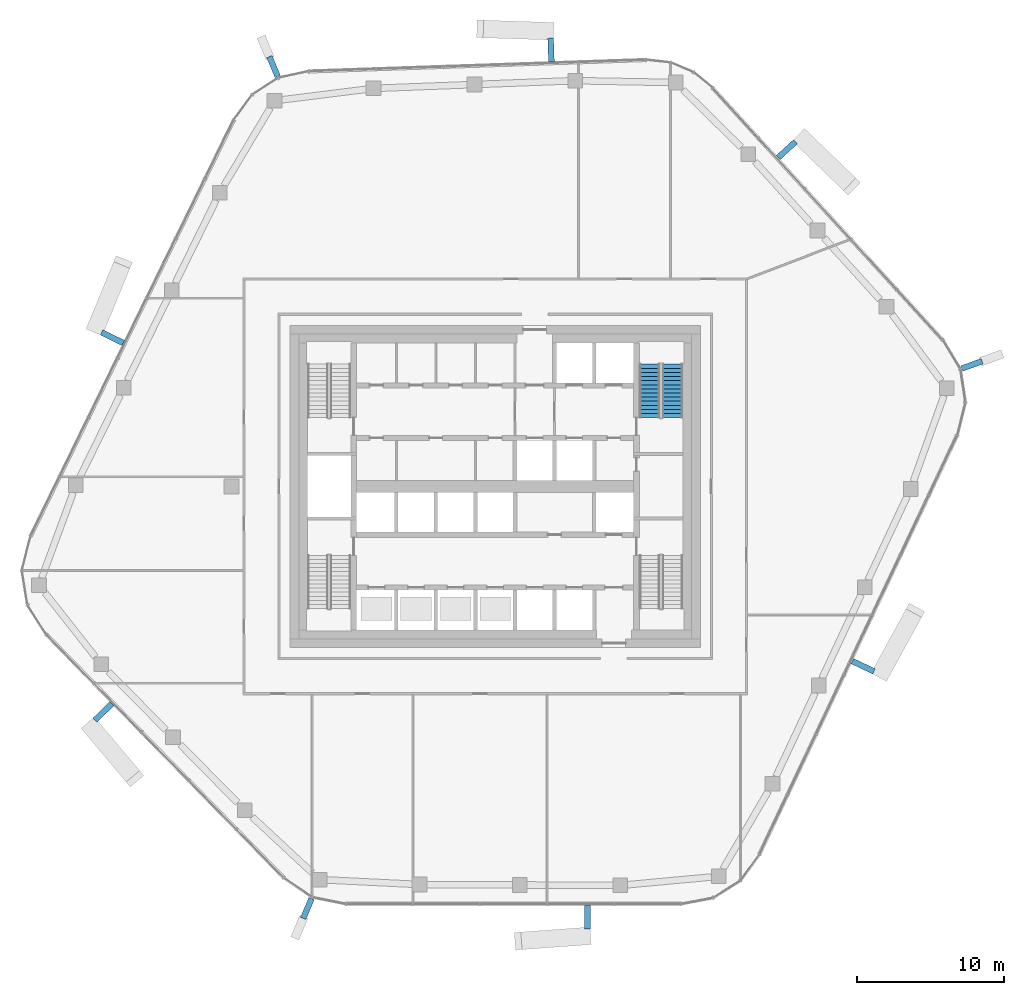
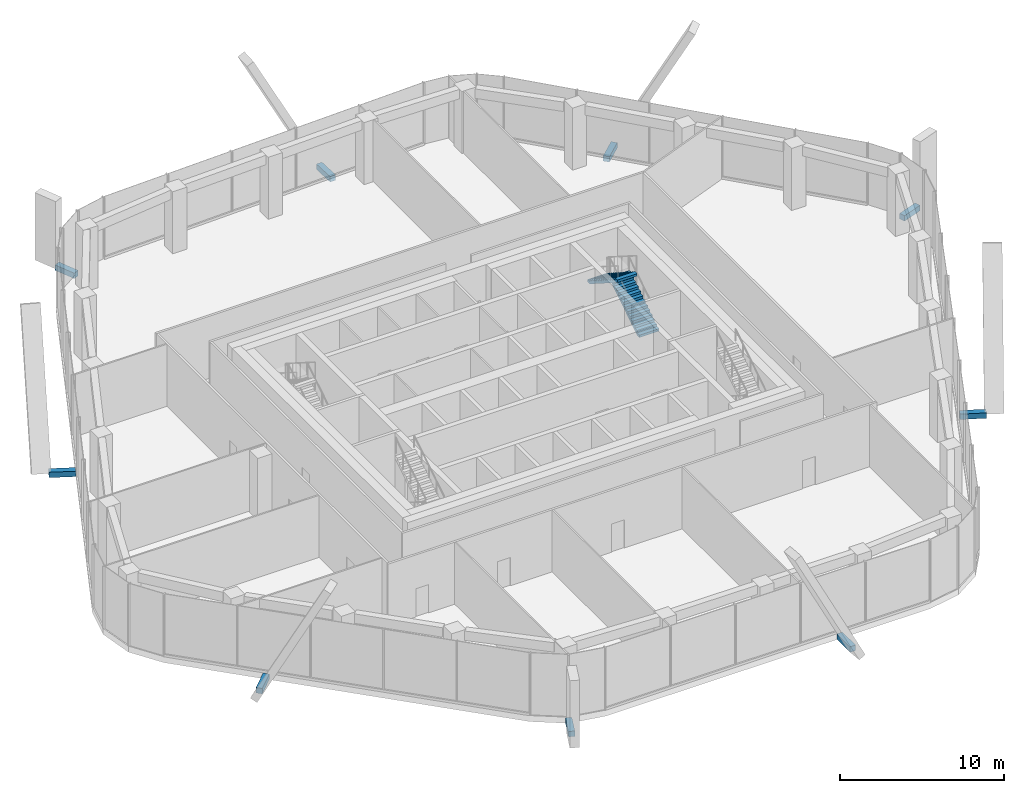
# One storey, part 13 of 20: 9 discrete accessories, 2 stair flights, 1 element without a shape of its own.
"""IFC4 building model written with IfcOpenShell, lengths in metres."""

from ifc_helpers import new_model, si_unit, direction, frame, origin, origin_2d, place, context, subcontext, project, spatial, polyline, rectangle, outline, extrude, material, layer, layer_set, type_object, element, aggregate, save


model = new_model("IFC4")

# Units and contexts
model_context = context("Model", 3, precision=1e-05, world=origin(), true_north=direction((0.0, 1.0)))
body_context = subcontext(model_context, "Body", "Model", "MODEL_VIEW")
ifc_project = project(units=[si_unit("LENGTHUNIT", "METRE"), si_unit("AREAUNIT", "SQUARE_METRE"), si_unit("VOLUMEUNIT", "CUBIC_METRE"), si_unit("PLANEANGLEUNIT", "RADIAN"), si_unit("MASSUNIT", "GRAM", prefix="KILO")], contexts=[model_context])

# Site, building, storey
site_placement = place(None, origin())
site = spatial("IfcSite", under=ifc_project, at=site_placement, CompositionType="ELEMENT")
building_placement = place(site_placement, origin())
building = spatial("IfcBuilding", under=site, at=building_placement, Name="Dongbaek Canopy Tower", CompositionType="ELEMENT")
storey_placement = place(building_placement, frame((0.0, 0.0, 289.199951171875)))
storey = spatial("IfcBuildingStorey", under=building, at=storey_placement, Name="L61", CompositionType="ELEMENT", Elevation=289.199951171875)

# Stair, stair flights
ifc_material_1 = material(Name="Concrete C40/50", Category="concrete")
stair_type = type_object("IfcStairType", Name="Core exit stair", PredefinedType="HALF_TURN_STAIR", material=ifc_material_1)
stair_placement = place(storey_placement, origin())
stair = element("IfcStair", 1, at=stair_placement, inside=storey, type_object=stair_type, Name="L61 exit stair A", PredefinedType="HALF_TURN_STAIR")
ifc_material_2 = material(Name="Concrete C40/50", Category="concrete")
ifc_layer = layer(ifc_material_2, 0.14990234375)
ifc_layer_set = layer_set([ifc_layer], Name="Core stair flight 150 waist")
stair_flight_type = type_object("IfcStairFlightType", Name="Core stair flight 150 waist", PredefinedType="STRAIGHT", material=ifc_layer_set)
stair_flight_1_placement = place(storey_placement, frame((12.10009765625, 4.699951171875, 0.0), z_axis=(0.0, 0.0, 1.0), x_axis=(0.0, 1.0, 0.0)))
stair_flight_1 = element("IfcStairFlight", 2, at=stair_flight_1_placement, type_object=stair_flight_type, Name="ST-A flight 1", NumberOfRisers=14, NumberOfTreads=13, PredefinedType="STRAIGHT", RiserHeight=0.178571429, TreadLength=0.28, context=body_context, shape_type="SweptSolid", body=[
    extrude(outline(polyline([(0.0, 0.0), (0.0, 0.178466796875), (0.280029296875, 0.178466796875), (0.280029296875, 0.357177734375), (0.56005859375, 0.357177734375), (0.56005859375, 0.53564453125), (0.840087890625, 0.53564453125), (0.840087890625, 0.71435546875), (1.1201171875, 0.71435546875), (1.1201171875, 0.892822265625), (1.39990234375, 0.892822265625), (1.39990234375, 1.071533203125), (1.679931640625, 1.071533203125), (1.679931640625, 1.25), (1.9599609375, 1.25), (1.9599609375, 1.428466796875), (2.239990234375, 1.428466796875), (2.239990234375, 1.607177734375), (2.52001953125, 1.607177734375), (2.52001953125, 1.78564453125), (2.800048828125, 1.78564453125), (2.800048828125, 1.96435546875), (3.080078125, 1.96435546875), (3.080078125, 2.142822265625), (3.360107421875, 2.142822265625), (3.360107421875, 2.321533203125), (3.639892578125, 2.321533203125), (3.639892578125, 2.5), (3.639892578125, 2.1435546875), (0.27880859375, 0.0), (0.0, 0.0)])), frame((0.0, 0.699951171875, 0.0), z_axis=(0.0, -1.0, 0.0), x_axis=(1.0, 0.0, 0.0)), (0.0, 0.0, 1.0), 1.39990234375),
])
stair_flight_2_placement = place(storey_placement, frame((10.550048828125, 8.340087890625, 2.5), z_axis=(0.0, 0.0, 1.0), x_axis=(0.0, -1.0, 0.0)))
stair_flight_2 = element("IfcStairFlight", 3, at=stair_flight_2_placement, type_object=stair_flight_type, Name="ST-A flight 2", NumberOfRisers=14, NumberOfTreads=13, PredefinedType="STRAIGHT", RiserHeight=0.178571429, TreadLength=0.28, context=body_context, shape_type="SweptSolid", body=[
    extrude(outline(polyline([(0.0, 0.0), (0.0, 0.178466796875), (0.280029296875, 0.178466796875), (0.280029296875, 0.357177734375), (0.56005859375, 0.357177734375), (0.56005859375, 0.53564453125), (0.840087890625, 0.53564453125), (0.840087890625, 0.71435546875), (1.1201171875, 0.71435546875), (1.1201171875, 0.892822265625), (1.39990234375, 0.892822265625), (1.39990234375, 1.071533203125), (1.679931640625, 1.071533203125), (1.679931640625, 1.25), (1.9599609375, 1.25), (1.9599609375, 1.428466796875), (2.239990234375, 1.428466796875), (2.239990234375, 1.607177734375), (2.52001953125, 1.607177734375), (2.52001953125, 1.78564453125), (2.800048828125, 1.78564453125), (2.800048828125, 1.96435546875), (3.080078125, 1.96435546875), (3.080078125, 2.142822265625), (3.360107421875, 2.142822265625), (3.360107421875, 2.321533203125), (3.639892578125, 2.321533203125), (3.639892578125, 2.5), (3.639892578125, 2.1435546875), (0.27880859375, 0.0), (0.0, 0.0)])), frame((0.0, 0.699951171875, 0.0), z_axis=(0.0, -1.0, 0.0), x_axis=(1.0, 0.0, 0.0)), (0.0, 0.0, 1.0), 1.39990234375),
])
aggregate(stair, [stair_flight_1, stair_flight_2])

# Discrete accessories
ifc_material_3 = material(Name="Galvanised steel S355 bracket", Category="steel")
discrete_accessory_type = type_object("IfcDiscreteAccessoryType", Name="Crease fin bracket BR3 400", PredefinedType="BRACKET", material=ifc_material_3)
discrete_accessory_1_placement = place(storey_placement, frame((25.10888671875, -12.27099609375, -0.4248046875), z_axis=(0.0, 0.0, 1.0), x_axis=(0.904370999037, -0.426747110243, 0.0)))
element("IfcDiscreteAccessory", 4, at=discrete_accessory_1_placement, inside=storey, type_object=discrete_accessory_type, Name="Crease fin bracket L61 F5", PredefinedType="BRACKET", context=body_context, shape_type="SweptSolid", body=[
    extrude(rectangle(XDim=1.6279296875, YDim=0.39990234375, at=origin_2d()), origin(), (0.0, 0.0, 1.0), 0.39990234375),
])
discrete_accessory_2_placement = place(storey_placement, frame((19.904052734375, 22.9833984375, -0.4248046875), z_axis=(0.0, 0.0, 1.0), x_axis=(0.738450633089, 0.674307542958, 0.0)))
element("IfcDiscreteAccessory", 5, at=discrete_accessory_2_placement, inside=storey, type_object=discrete_accessory_type, Name="Crease fin bracket L61 F0", PredefinedType="BRACKET", context=body_context, shape_type="SweptSolid", body=[
    extrude(rectangle(XDim=1.5888671875, YDim=0.39990234375, at=origin_2d()), origin(), (0.0, 0.0, 1.0), 0.39990234375),
])
discrete_accessory_3_placement = place(storey_placement, frame((3.809326171875, 29.794189453125, -0.4248046875), z_axis=(0.0, 0.0, 1.0), x_axis=(-0.033922691204, 0.999424459888, 0.0)))
element("IfcDiscreteAccessory", 6, at=discrete_accessory_3_placement, inside=storey, type_object=discrete_accessory_type, Name="Crease fin bracket L61 F1", PredefinedType="BRACKET", context=body_context, shape_type="SweptSolid", body=[
    extrude(rectangle(XDim=1.593017578125, YDim=0.39990234375, at=origin_2d()), origin(), (0.0, 0.0, 1.0), 0.39990234375),
])
discrete_accessory_4_placement = place(storey_placement, frame((-26.12158203125, 10.152587890625, -0.4248046875), z_axis=(0.0, 0.0, 1.0), x_axis=(-0.898667767204, 0.438629962712, 0.0)))
element("IfcDiscreteAccessory", 7, at=discrete_accessory_4_placement, inside=storey, type_object=discrete_accessory_type, Name="Crease fin bracket L61 F2", PredefinedType="BRACKET", context=body_context, shape_type="SweptSolid", body=[
    extrude(rectangle(XDim=1.63720703125, YDim=0.39990234375, at=origin_2d()), origin(), (0.0, 0.0, 1.0), 0.39990234375),
])
discrete_accessory_5_placement = place(storey_placement, frame((-26.744384765625, -15.391845703125, -0.4248046875), z_axis=(0.0, 0.0, 1.0), x_axis=(-0.715574483879, -0.69853644001, 0.0)))
element("IfcDiscreteAccessory", 8, at=discrete_accessory_5_placement, inside=storey, type_object=discrete_accessory_type, Name="Crease fin bracket L61 F3", PredefinedType="BRACKET", context=body_context, shape_type="SweptSolid", body=[
    extrude(rectangle(XDim=1.614013671875, YDim=0.39990234375, at=origin_2d()), origin(), (0.0, 0.0, 1.0), 0.39990234375),
])
discrete_accessory_6_placement = place(storey_placement, frame((6.29052734375, -29.396484375, -0.4248046875), z_axis=(0.0, 0.0, 1.0), x_axis=(2.268928e-05, -0.999999999743, 0.0)))
element("IfcDiscreteAccessory", 9, at=discrete_accessory_6_placement, inside=storey, type_object=discrete_accessory_type, Name="Crease fin bracket L61 F4", PredefinedType="BRACKET", context=body_context, shape_type="SweptSolid", body=[
    extrude(rectangle(XDim=1.60888671875, YDim=0.39990234375, at=origin_2d()), origin(), (0.0, 0.0, 1.0), 0.39990234375),
])
for number, where, z_axis, x_axis, name in (
    (10, (32.5361328125, 8.297607421875, -0.4248046875), (0.0, 0.0, 1.0), (0.940605546846, 0.339501406834, 0.0), "Corner fin bracket L61 K0"),
    (11, (-15.128173828125, 28.656005859375, -0.4248046875), (0.0, 0.0, 1.0), (-0.384678780274, 0.923050505664, 0.0), "Corner fin bracket L61 K2"),
    (12, (-12.8173828125, -28.79931640625, -0.4248046875), (0.0, 0.0, 1.0), (-0.388231454354, -0.921561901258, 0.0), "Corner fin bracket L61 K4"),
):
    element("IfcDiscreteAccessory", number, at=place(storey_placement, frame(where, z_axis=z_axis, x_axis=x_axis)), inside=storey, type_object=discrete_accessory_type, Name=name, PredefinedType="BRACKET", context=body_context, shape_type="SweptSolid", body=[
        extrude(rectangle(XDim=1.469970703125, YDim=0.39990234375, at=origin_2d()), origin(), (0.0, 0.0, 1.0), 0.39990234375),
    ])

save(model, "model.ifc")
